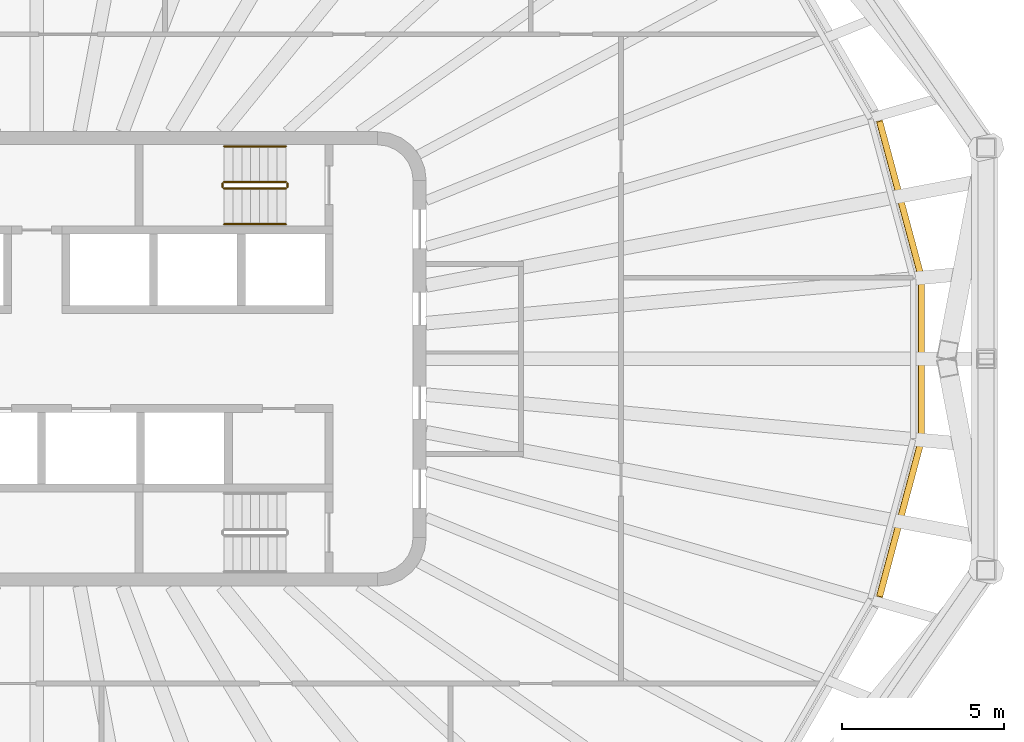
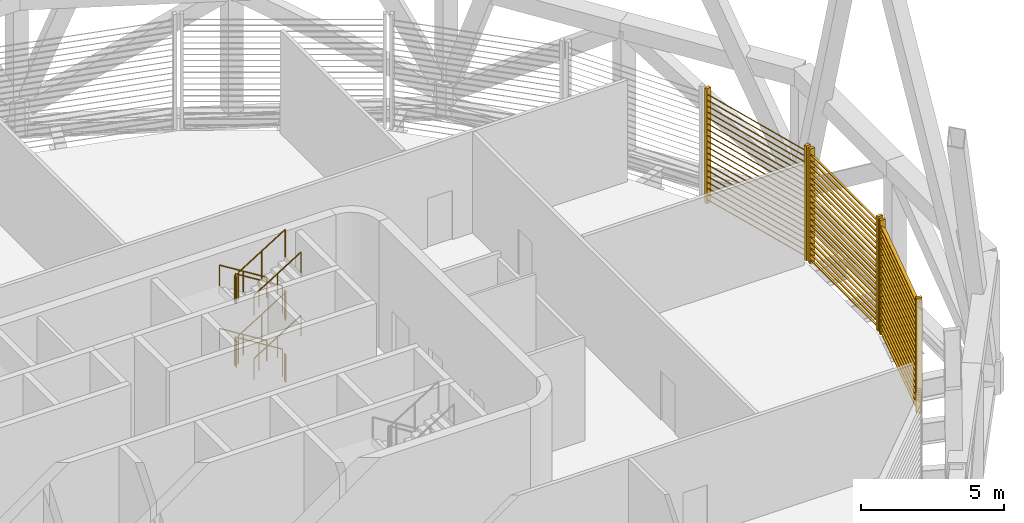
# One storey, part 14 of 16: 12 railings, 3 shading devices.
"""IFC4 building model written with IfcOpenShell, lengths in metres."""

from ifc_helpers import new_model, si_unit, direction, frame, origin, origin_2d, place, context, subcontext, project, spatial, rectangle, circle, extrude, material, type_object, element, save


model = new_model("IFC4")

# Units and contexts
model_context = context("Model", 3, precision=1e-05, world=origin(), true_north=direction((0.0, 1.0)))
body_context = subcontext(model_context, "Body", "Model", "MODEL_VIEW")
ifc_project = project(units=[si_unit("LENGTHUNIT", "METRE"), si_unit("AREAUNIT", "SQUARE_METRE"), si_unit("VOLUMEUNIT", "CUBIC_METRE"), si_unit("PLANEANGLEUNIT", "RADIAN"), si_unit("MASSUNIT", "GRAM", prefix="KILO")], contexts=[model_context])

# Site, building, storey
site_placement = place(None, origin())
site = spatial("IfcSite", under=ifc_project, at=site_placement, CompositionType="ELEMENT")
building_placement = place(site_placement, origin())
building = spatial("IfcBuilding", under=site, at=building_placement, Name="Sahrelin Media Tower", CompositionType="ELEMENT")
storey_placement = place(building_placement, frame((0.0, 0.0, 299.0)))
storey = spatial("IfcBuildingStorey", under=building, at=storey_placement, Name="L66", CompositionType="ELEMENT", Elevation=299.0)

# Shading devices
ifc_material_1 = material(Name="Champagne anodised aluminium 6063-T6", Category="aluminium")
shading_device_type = type_object("IfcShadingDeviceType", Name="Sand-rejection louvre band", PredefinedType="USERDEFINED", material=ifc_material_1)
shading_device_1_placement = place(storey_placement, frame((27.15234375, 0.0, 0.0), z_axis=(0.0, 0.0, 1.0), x_axis=(0.0, -1.0, 0.0)))
element("IfcShadingDevice", 1, at=shading_device_1_placement, inside=storey, type_object=shading_device_type, Name="L66:LOUVRE:L66-00", ObjectType="LOUVRE", PredefinedType="USERDEFINED", context=body_context, shape_type="SweptSolid", body=[
    extrude(rectangle(XDim=0.1201171875, YDim=0.199951171875, at=origin_2d()), frame((2.380615234375, 0.10009765625, 0.050048828125), z_axis=(0.0, 0.0, 1.0), x_axis=(1.0, 0.0, 0.0)), (0.0, 0.0, 1.0), 4.8984375),
    extrude(rectangle(XDim=0.1201171875, YDim=0.199951171875, at=origin_2d()), frame((-2.380615234375, 0.10009765625, 0.050048828125), z_axis=(0.0, 0.0, 1.0), x_axis=(1.0, 0.0, 0.0)), (0.0, 0.0, 1.0), 4.8984375),
    extrude(rectangle(XDim=0.25, YDim=0.02001953125, at=origin_2d()), frame((2.32080078125, 0.10009765625, 0.14990234375), z_axis=(-1.0, 0.0, 0.0), x_axis=(0.0, -0.766044443119, 0.642787609687)), (0.0, 0.0, 1.0), 4.6416015625),
    extrude(rectangle(XDim=0.25, YDim=0.02001953125, at=origin_2d()), frame((2.32080078125, 0.10009765625, 0.39990234375), z_axis=(-1.0, 0.0, 0.0), x_axis=(0.0, -0.766044443119, 0.642787609687)), (0.0, 0.0, 1.0), 4.6416015625),
    extrude(rectangle(XDim=0.25, YDim=0.02001953125, at=origin_2d()), frame((2.32080078125, 0.10009765625, 0.64990234375), z_axis=(-1.0, 0.0, 0.0), x_axis=(0.0, -0.766044443119, 0.642787609687)), (0.0, 0.0, 1.0), 4.6416015625),
    extrude(rectangle(XDim=0.25, YDim=0.02001953125, at=origin_2d()), frame((2.32080078125, 0.10009765625, 0.89990234375), z_axis=(-1.0, 0.0, 0.0), x_axis=(0.0, -0.766044443119, 0.642787609687)), (0.0, 0.0, 1.0), 4.6416015625),
    extrude(rectangle(XDim=0.25, YDim=0.02001953125, at=origin_2d()), frame((2.32080078125, 0.10009765625, 1.14990234375), z_axis=(-1.0, 0.0, 0.0), x_axis=(0.0, -0.766044443119, 0.642787609687)), (0.0, 0.0, 1.0), 4.6416015625),
    extrude(rectangle(XDim=0.25, YDim=0.02001953125, at=origin_2d()), frame((2.32080078125, 0.10009765625, 1.39990234375), z_axis=(-1.0, 0.0, 0.0), x_axis=(0.0, -0.766044443119, 0.642787609687)), (0.0, 0.0, 1.0), 4.6416015625),
    extrude(rectangle(XDim=0.25, YDim=0.02001953125, at=origin_2d()), frame((2.32080078125, 0.10009765625, 1.64990234375), z_axis=(-1.0, 0.0, 0.0), x_axis=(0.0, -0.766044443119, 0.642787609687)), (0.0, 0.0, 1.0), 4.6416015625),
    extrude(rectangle(XDim=0.25, YDim=0.02001953125, at=origin_2d()), frame((2.32080078125, 0.10009765625, 1.89990234375), z_axis=(-1.0, 0.0, 0.0), x_axis=(0.0, -0.766044443119, 0.642787609687)), (0.0, 0.0, 1.0), 4.6416015625),
    extrude(rectangle(XDim=0.25, YDim=0.02001953125, at=origin_2d()), frame((2.32080078125, 0.10009765625, 2.14990234375), z_axis=(-1.0, 0.0, 0.0), x_axis=(0.0, -0.766044443119, 0.642787609687)), (0.0, 0.0, 1.0), 4.6416015625),
    extrude(rectangle(XDim=0.25, YDim=0.02001953125, at=origin_2d()), frame((2.32080078125, 0.10009765625, 2.39990234375), z_axis=(-1.0, 0.0, 0.0), x_axis=(0.0, -0.766044443119, 0.642787609687)), (0.0, 0.0, 1.0), 4.6416015625),
    extrude(rectangle(XDim=0.25, YDim=0.02001953125, at=origin_2d()), frame((2.32080078125, 0.10009765625, 2.64990234375), z_axis=(-1.0, 0.0, 0.0), x_axis=(0.0, -0.766044443119, 0.642787609687)), (0.0, 0.0, 1.0), 4.6416015625),
    extrude(rectangle(XDim=0.25, YDim=0.02001953125, at=origin_2d()), frame((2.32080078125, 0.10009765625, 2.89990234375), z_axis=(-1.0, 0.0, 0.0), x_axis=(0.0, -0.766044443119, 0.642787609687)), (0.0, 0.0, 1.0), 4.6416015625),
    extrude(rectangle(XDim=0.25, YDim=0.02001953125, at=origin_2d()), frame((2.32080078125, 0.10009765625, 3.14990234375), z_axis=(-1.0, 0.0, 0.0), x_axis=(0.0, -0.766044443119, 0.642787609687)), (0.0, 0.0, 1.0), 4.6416015625),
    extrude(rectangle(XDim=0.25, YDim=0.02001953125, at=origin_2d()), frame((2.32080078125, 0.10009765625, 3.39990234375), z_axis=(-1.0, 0.0, 0.0), x_axis=(0.0, -0.766044443119, 0.642787609687)), (0.0, 0.0, 1.0), 4.6416015625),
    extrude(rectangle(XDim=0.25, YDim=0.02001953125, at=origin_2d()), frame((2.32080078125, 0.10009765625, 3.64990234375), z_axis=(-1.0, 0.0, 0.0), x_axis=(0.0, -0.766044443119, 0.642787609687)), (0.0, 0.0, 1.0), 4.6416015625),
    extrude(rectangle(XDim=0.25, YDim=0.02001953125, at=origin_2d()), frame((2.32080078125, 0.10009765625, 3.89990234375), z_axis=(-1.0, 0.0, 0.0), x_axis=(0.0, -0.766044443119, 0.642787609687)), (0.0, 0.0, 1.0), 4.6416015625),
    extrude(rectangle(XDim=0.25, YDim=0.02001953125, at=origin_2d()), frame((2.32080078125, 0.10009765625, 4.14990234375), z_axis=(-1.0, 0.0, 0.0), x_axis=(0.0, -0.766044443119, 0.642787609687)), (0.0, 0.0, 1.0), 4.6416015625),
    extrude(rectangle(XDim=0.25, YDim=0.02001953125, at=origin_2d()), frame((2.32080078125, 0.10009765625, 4.39990234375), z_axis=(-1.0, 0.0, 0.0), x_axis=(0.0, -0.766044443119, 0.642787609687)), (0.0, 0.0, 1.0), 4.6416015625),
    extrude(rectangle(XDim=0.25, YDim=0.02001953125, at=origin_2d()), frame((2.32080078125, 0.10009765625, 4.64990234375), z_axis=(-1.0, 0.0, 0.0), x_axis=(0.0, -0.766044443119, 0.642787609687)), (0.0, 0.0, 1.0), 4.6416015625),
])
shading_device_2_placement = place(storey_placement, frame((26.4873046875, 4.972412109375, 0.0), z_axis=(0.0, 0.0, 1.0), x_axis=(0.258807731996, -0.965928857556, 0.0)))
element("IfcShadingDevice", 2, at=shading_device_2_placement, inside=storey, type_object=shading_device_type, Name="L66:LOUVRE:L66-01", ObjectType="LOUVRE", PredefinedType="USERDEFINED", context=body_context, shape_type="SweptSolid", body=[
    extrude(rectangle(XDim=0.1201171875, YDim=0.199951171875, at=origin_2d()), frame((2.459228515625, 0.10009765625, 0.050048828125), z_axis=(0.0, 0.0, 1.0), x_axis=(1.0, 0.0, 0.0)), (0.0, 0.0, 1.0), 4.8984375),
    extrude(rectangle(XDim=0.1201171875, YDim=0.199951171875, at=origin_2d()), frame((-2.459228515625, 0.10009765625, 0.050048828125), z_axis=(0.0, 0.0, 1.0), x_axis=(1.0, 0.0, 0.0)), (0.0, 0.0, 1.0), 4.8984375),
    extrude(rectangle(XDim=0.25, YDim=0.02001953125, at=origin_2d()), frame((2.3994140625, 0.10009765625, 0.14990234375), z_axis=(-1.0, 0.0, 0.0), x_axis=(0.0, -0.766044443119, 0.642787609687)), (0.0, 0.0, 1.0), 4.798828125),
    extrude(rectangle(XDim=0.25, YDim=0.02001953125, at=origin_2d()), frame((2.3994140625, 0.10009765625, 0.39990234375), z_axis=(-1.0, 0.0, 0.0), x_axis=(0.0, -0.766044443119, 0.642787609687)), (0.0, 0.0, 1.0), 4.798828125),
    extrude(rectangle(XDim=0.25, YDim=0.02001953125, at=origin_2d()), frame((2.3994140625, 0.10009765625, 0.64990234375), z_axis=(-1.0, 0.0, 0.0), x_axis=(0.0, -0.766044443119, 0.642787609687)), (0.0, 0.0, 1.0), 4.798828125),
    extrude(rectangle(XDim=0.25, YDim=0.02001953125, at=origin_2d()), frame((2.3994140625, 0.10009765625, 0.89990234375), z_axis=(-1.0, 0.0, 0.0), x_axis=(0.0, -0.766044443119, 0.642787609687)), (0.0, 0.0, 1.0), 4.798828125),
    extrude(rectangle(XDim=0.25, YDim=0.02001953125, at=origin_2d()), frame((2.3994140625, 0.10009765625, 1.14990234375), z_axis=(-1.0, 0.0, 0.0), x_axis=(0.0, -0.766044443119, 0.642787609687)), (0.0, 0.0, 1.0), 4.798828125),
    extrude(rectangle(XDim=0.25, YDim=0.02001953125, at=origin_2d()), frame((2.3994140625, 0.10009765625, 1.39990234375), z_axis=(-1.0, 0.0, 0.0), x_axis=(0.0, -0.766044443119, 0.642787609687)), (0.0, 0.0, 1.0), 4.798828125),
    extrude(rectangle(XDim=0.25, YDim=0.02001953125, at=origin_2d()), frame((2.3994140625, 0.10009765625, 1.64990234375), z_axis=(-1.0, 0.0, 0.0), x_axis=(0.0, -0.766044443119, 0.642787609687)), (0.0, 0.0, 1.0), 4.798828125),
    extrude(rectangle(XDim=0.25, YDim=0.02001953125, at=origin_2d()), frame((2.3994140625, 0.10009765625, 1.89990234375), z_axis=(-1.0, 0.0, 0.0), x_axis=(0.0, -0.766044443119, 0.642787609687)), (0.0, 0.0, 1.0), 4.798828125),
    extrude(rectangle(XDim=0.25, YDim=0.02001953125, at=origin_2d()), frame((2.3994140625, 0.10009765625, 2.14990234375), z_axis=(-1.0, 0.0, 0.0), x_axis=(0.0, -0.766044443119, 0.642787609687)), (0.0, 0.0, 1.0), 4.798828125),
    extrude(rectangle(XDim=0.25, YDim=0.02001953125, at=origin_2d()), frame((2.3994140625, 0.10009765625, 2.39990234375), z_axis=(-1.0, 0.0, 0.0), x_axis=(0.0, -0.766044443119, 0.642787609687)), (0.0, 0.0, 1.0), 4.798828125),
    extrude(rectangle(XDim=0.25, YDim=0.02001953125, at=origin_2d()), frame((2.3994140625, 0.10009765625, 2.64990234375), z_axis=(-1.0, 0.0, 0.0), x_axis=(0.0, -0.766044443119, 0.642787609687)), (0.0, 0.0, 1.0), 4.798828125),
    extrude(rectangle(XDim=0.25, YDim=0.02001953125, at=origin_2d()), frame((2.3994140625, 0.10009765625, 2.89990234375), z_axis=(-1.0, 0.0, 0.0), x_axis=(0.0, -0.766044443119, 0.642787609687)), (0.0, 0.0, 1.0), 4.798828125),
    extrude(rectangle(XDim=0.25, YDim=0.02001953125, at=origin_2d()), frame((2.3994140625, 0.10009765625, 3.14990234375), z_axis=(-1.0, 0.0, 0.0), x_axis=(0.0, -0.766044443119, 0.642787609687)), (0.0, 0.0, 1.0), 4.798828125),
    extrude(rectangle(XDim=0.25, YDim=0.02001953125, at=origin_2d()), frame((2.3994140625, 0.10009765625, 3.39990234375), z_axis=(-1.0, 0.0, 0.0), x_axis=(0.0, -0.766044443119, 0.642787609687)), (0.0, 0.0, 1.0), 4.798828125),
    extrude(rectangle(XDim=0.25, YDim=0.02001953125, at=origin_2d()), frame((2.3994140625, 0.10009765625, 3.64990234375), z_axis=(-1.0, 0.0, 0.0), x_axis=(0.0, -0.766044443119, 0.642787609687)), (0.0, 0.0, 1.0), 4.798828125),
    extrude(rectangle(XDim=0.25, YDim=0.02001953125, at=origin_2d()), frame((2.3994140625, 0.10009765625, 3.89990234375), z_axis=(-1.0, 0.0, 0.0), x_axis=(0.0, -0.766044443119, 0.642787609687)), (0.0, 0.0, 1.0), 4.798828125),
    extrude(rectangle(XDim=0.25, YDim=0.02001953125, at=origin_2d()), frame((2.3994140625, 0.10009765625, 4.14990234375), z_axis=(-1.0, 0.0, 0.0), x_axis=(0.0, -0.766044443119, 0.642787609687)), (0.0, 0.0, 1.0), 4.798828125),
    extrude(rectangle(XDim=0.25, YDim=0.02001953125, at=origin_2d()), frame((2.3994140625, 0.10009765625, 4.39990234375), z_axis=(-1.0, 0.0, 0.0), x_axis=(0.0, -0.766044443119, 0.642787609687)), (0.0, 0.0, 1.0), 4.798828125),
    extrude(rectangle(XDim=0.25, YDim=0.02001953125, at=origin_2d()), frame((2.3994140625, 0.10009765625, 4.64990234375), z_axis=(-1.0, 0.0, 0.0), x_axis=(0.0, -0.766044443119, 0.642787609687)), (0.0, 0.0, 1.0), 4.798828125),
])
shading_device_3_placement = place(storey_placement, frame((26.4873046875, -4.972412109375, 0.0), z_axis=(0.0, 0.0, 1.0), x_axis=(-0.258807731996, -0.965928857556, 0.0)))
element("IfcShadingDevice", 3, at=shading_device_3_placement, inside=storey, type_object=shading_device_type, Name="L66:LOUVRE:L66-23", ObjectType="LOUVRE", PredefinedType="USERDEFINED", context=body_context, shape_type="SweptSolid", body=[
    extrude(rectangle(XDim=0.1201171875, YDim=0.199951171875, at=origin_2d()), frame((2.459228515625, 0.10009765625, 0.050048828125), z_axis=(0.0, 0.0, 1.0), x_axis=(1.0, 0.0, 0.0)), (0.0, 0.0, 1.0), 4.8984375),
    extrude(rectangle(XDim=0.1201171875, YDim=0.199951171875, at=origin_2d()), frame((-2.459228515625, 0.10009765625, 0.050048828125), z_axis=(0.0, 0.0, 1.0), x_axis=(1.0, 0.0, 0.0)), (0.0, 0.0, 1.0), 4.8984375),
    extrude(rectangle(XDim=0.25, YDim=0.02001953125, at=origin_2d()), frame((2.3994140625, 0.10009765625, 0.14990234375), z_axis=(-1.0, 0.0, 0.0), x_axis=(0.0, -0.766044443119, 0.642787609687)), (0.0, 0.0, 1.0), 4.798828125),
    extrude(rectangle(XDim=0.25, YDim=0.02001953125, at=origin_2d()), frame((2.3994140625, 0.10009765625, 0.39990234375), z_axis=(-1.0, 0.0, 0.0), x_axis=(0.0, -0.766044443119, 0.642787609687)), (0.0, 0.0, 1.0), 4.798828125),
    extrude(rectangle(XDim=0.25, YDim=0.02001953125, at=origin_2d()), frame((2.3994140625, 0.10009765625, 0.64990234375), z_axis=(-1.0, 0.0, 0.0), x_axis=(0.0, -0.766044443119, 0.642787609687)), (0.0, 0.0, 1.0), 4.798828125),
    extrude(rectangle(XDim=0.25, YDim=0.02001953125, at=origin_2d()), frame((2.3994140625, 0.10009765625, 0.89990234375), z_axis=(-1.0, 0.0, 0.0), x_axis=(0.0, -0.766044443119, 0.642787609687)), (0.0, 0.0, 1.0), 4.798828125),
    extrude(rectangle(XDim=0.25, YDim=0.02001953125, at=origin_2d()), frame((2.3994140625, 0.10009765625, 1.14990234375), z_axis=(-1.0, 0.0, 0.0), x_axis=(0.0, -0.766044443119, 0.642787609687)), (0.0, 0.0, 1.0), 4.798828125),
    extrude(rectangle(XDim=0.25, YDim=0.02001953125, at=origin_2d()), frame((2.3994140625, 0.10009765625, 1.39990234375), z_axis=(-1.0, 0.0, 0.0), x_axis=(0.0, -0.766044443119, 0.642787609687)), (0.0, 0.0, 1.0), 4.798828125),
    extrude(rectangle(XDim=0.25, YDim=0.02001953125, at=origin_2d()), frame((2.3994140625, 0.10009765625, 1.64990234375), z_axis=(-1.0, 0.0, 0.0), x_axis=(0.0, -0.766044443119, 0.642787609687)), (0.0, 0.0, 1.0), 4.798828125),
    extrude(rectangle(XDim=0.25, YDim=0.02001953125, at=origin_2d()), frame((2.3994140625, 0.10009765625, 1.89990234375), z_axis=(-1.0, 0.0, 0.0), x_axis=(0.0, -0.766044443119, 0.642787609687)), (0.0, 0.0, 1.0), 4.798828125),
    extrude(rectangle(XDim=0.25, YDim=0.02001953125, at=origin_2d()), frame((2.3994140625, 0.10009765625, 2.14990234375), z_axis=(-1.0, 0.0, 0.0), x_axis=(0.0, -0.766044443119, 0.642787609687)), (0.0, 0.0, 1.0), 4.798828125),
    extrude(rectangle(XDim=0.25, YDim=0.02001953125, at=origin_2d()), frame((2.3994140625, 0.10009765625, 2.39990234375), z_axis=(-1.0, 0.0, 0.0), x_axis=(0.0, -0.766044443119, 0.642787609687)), (0.0, 0.0, 1.0), 4.798828125),
    extrude(rectangle(XDim=0.25, YDim=0.02001953125, at=origin_2d()), frame((2.3994140625, 0.10009765625, 2.64990234375), z_axis=(-1.0, 0.0, 0.0), x_axis=(0.0, -0.766044443119, 0.642787609687)), (0.0, 0.0, 1.0), 4.798828125),
    extrude(rectangle(XDim=0.25, YDim=0.02001953125, at=origin_2d()), frame((2.3994140625, 0.10009765625, 2.89990234375), z_axis=(-1.0, 0.0, 0.0), x_axis=(0.0, -0.766044443119, 0.642787609687)), (0.0, 0.0, 1.0), 4.798828125),
    extrude(rectangle(XDim=0.25, YDim=0.02001953125, at=origin_2d()), frame((2.3994140625, 0.10009765625, 3.14990234375), z_axis=(-1.0, 0.0, 0.0), x_axis=(0.0, -0.766044443119, 0.642787609687)), (0.0, 0.0, 1.0), 4.798828125),
    extrude(rectangle(XDim=0.25, YDim=0.02001953125, at=origin_2d()), frame((2.3994140625, 0.10009765625, 3.39990234375), z_axis=(-1.0, 0.0, 0.0), x_axis=(0.0, -0.766044443119, 0.642787609687)), (0.0, 0.0, 1.0), 4.798828125),
    extrude(rectangle(XDim=0.25, YDim=0.02001953125, at=origin_2d()), frame((2.3994140625, 0.10009765625, 3.64990234375), z_axis=(-1.0, 0.0, 0.0), x_axis=(0.0, -0.766044443119, 0.642787609687)), (0.0, 0.0, 1.0), 4.798828125),
    extrude(rectangle(XDim=0.25, YDim=0.02001953125, at=origin_2d()), frame((2.3994140625, 0.10009765625, 3.89990234375), z_axis=(-1.0, 0.0, 0.0), x_axis=(0.0, -0.766044443119, 0.642787609687)), (0.0, 0.0, 1.0), 4.798828125),
    extrude(rectangle(XDim=0.25, YDim=0.02001953125, at=origin_2d()), frame((2.3994140625, 0.10009765625, 4.14990234375), z_axis=(-1.0, 0.0, 0.0), x_axis=(0.0, -0.766044443119, 0.642787609687)), (0.0, 0.0, 1.0), 4.798828125),
    extrude(rectangle(XDim=0.25, YDim=0.02001953125, at=origin_2d()), frame((2.3994140625, 0.10009765625, 4.39990234375), z_axis=(-1.0, 0.0, 0.0), x_axis=(0.0, -0.766044443119, 0.642787609687)), (0.0, 0.0, 1.0), 4.798828125),
    extrude(rectangle(XDim=0.25, YDim=0.02001953125, at=origin_2d()), frame((2.3994140625, 0.10009765625, 4.64990234375), z_axis=(-1.0, 0.0, 0.0), x_axis=(0.0, -0.766044443119, 0.642787609687)), (0.0, 0.0, 1.0), 4.798828125),
])

# Railings
ifc_material_2 = material(Name="Steel S355", Category="steel")
railing_type_1 = type_object("IfcRailingType", Name="Stair guard 1200", PredefinedType="GUARDRAIL", material=ifc_material_2)
railing_1_placement = place(storey_placement, frame((7.675048828125, 5.449951171875, 0.168701171875)))
element("IfcRailing", 4, at=railing_1_placement, inside=storey, type_object=railing_type_1, Name="L66 ST3 stair guard 1", PredefinedType="GUARDRAIL", context=body_context, shape_type="SweptSolid", body=[
    extrude(circle(Radius=0.02392578125, at=origin_2d()), frame((0.0, 0.0, 1.17578125), z_axis=(-0.849240365539, 0.0, 0.528006440812), x_axis=(0.0, -1.0, 0.0)), (0.0, 0.0, 1.0), 2.237548828125),
    extrude(circle(Radius=0.02099609375, at=origin_2d()), origin(), (0.0, 0.0, 1.0), 1.15185546875),
    extrude(circle(Radius=0.02099609375, at=origin_2d()), frame((-0.9501953125, 0.0, 0.5908203125)), (0.0, 0.0, 1.0), 1.15185546875),
    extrude(circle(Radius=0.02099609375, at=origin_2d()), frame((-1.900146484375, 0.0, 1.181396484375)), (0.0, 0.0, 1.0), 1.15185546875),
])
railing_2_placement = place(storey_placement, frame((5.72509765625, 5.39990234375, 1.35009765625)))
element("IfcRailing", 5, at=railing_2_placement, inside=storey, type_object=railing_type_1, Name="L66 ST3 stair guard 2", PredefinedType="GUARDRAIL", context=body_context, shape_type="SweptSolid", body=[
    extrude(circle(Radius=0.02392578125, at=origin_2d()), frame((0.0, 0.0, 1.17578125), z_axis=(0.0, -1.0, 0.0), x_axis=(1.0, 0.0, 0.0)), (0.0, 0.0, 1.0), 0.099853515625),
    extrude(circle(Radius=0.02099609375, at=origin_2d()), origin(), (0.0, 0.0, 1.0), 1.15185546875),
    extrude(circle(Radius=0.02099609375, at=origin_2d()), frame((0.0, -0.099853515625, 0.0)), (0.0, 0.0, 1.0), 1.15185546875),
])
railing_3_placement = place(storey_placement, frame((5.77490234375, 5.25, 1.518798828125)))
element("IfcRailing", 6, at=railing_3_placement, inside=storey, type_object=railing_type_1, Name="L66 ST3 stair guard 3", PredefinedType="GUARDRAIL", context=body_context, shape_type="SweptSolid", body=[
    extrude(circle(Radius=0.02392578125, at=origin_2d()), frame((0.0, 0.0, 1.17578125), z_axis=(0.849289292259, 0.0, 0.527927739425), x_axis=(0.0, 1.0, 0.0)), (0.0, 0.0, 1.0), 2.2373046875),
    extrude(circle(Radius=0.02099609375, at=origin_2d()), origin(), (0.0, 0.0, 1.0), 1.15185546875),
    extrude(circle(Radius=0.02099609375, at=origin_2d()), frame((0.9501953125, 0.0, 0.590576171875)), (0.0, 0.0, 1.0), 1.15185546875),
    extrude(circle(Radius=0.02099609375, at=origin_2d()), frame((1.900146484375, 0.0, 1.18115234375)), (0.0, 0.0, 1.0), 1.15185546875),
])
railing_4_placement = place(storey_placement, frame((7.72509765625, 5.39990234375, 2.699951171875)))
element("IfcRailing", 7, at=railing_4_placement, inside=storey, type_object=railing_type_1, Name="L66 ST3 stair guard 4", PredefinedType="GUARDRAIL", context=body_context, shape_type="SweptSolid", body=[
    extrude(circle(Radius=0.02392578125, at=origin_2d()), frame((0.0, 0.0, 1.17578125), z_axis=(0.0, -1.0, 0.0), x_axis=(1.0, 0.0, 0.0)), (0.0, 0.0, 1.0), 0.099853515625),
    extrude(circle(Radius=0.02099609375, at=origin_2d()), origin(), (0.0, 0.0, 1.0), 1.15185546875),
    extrude(circle(Radius=0.02099609375, at=origin_2d()), frame((0.0, -0.099853515625, 0.0)), (0.0, 0.0, 1.0), 1.15185546875),
])
railing_5_placement = place(storey_placement, frame((7.675048828125, 5.449951171875, 2.86865234375)))
element("IfcRailing", 8, at=railing_5_placement, inside=storey, type_object=railing_type_1, Name="L66 ST3 stair guard 5", PredefinedType="GUARDRAIL", context=body_context, shape_type="SweptSolid", body=[
    extrude(circle(Radius=0.02392578125, at=origin_2d()), frame((0.0, 0.0, 1.17578125), z_axis=(-0.849240365539, 0.0, 0.528006440812), x_axis=(0.0, -1.0, 0.0)), (0.0, 0.0, 1.0), 2.237548828125),
    extrude(circle(Radius=0.02099609375, at=origin_2d()), origin(), (0.0, 0.0, 1.0), 1.15185546875),
    extrude(circle(Radius=0.02099609375, at=origin_2d()), frame((-0.9501953125, 0.0, 0.5908203125)), (0.0, 0.0, 1.0), 1.15185546875),
    extrude(circle(Radius=0.02099609375, at=origin_2d()), frame((-1.900146484375, 0.0, 1.181396484375)), (0.0, 0.0, 1.0), 1.15185546875),
])
railing_6_placement = place(storey_placement, frame((5.72509765625, 5.39990234375, 4.050048828125)))
element("IfcRailing", 9, at=railing_6_placement, inside=storey, type_object=railing_type_1, Name="L66 ST3 stair guard 6", PredefinedType="GUARDRAIL", context=body_context, shape_type="SweptSolid", body=[
    extrude(circle(Radius=0.02392578125, at=origin_2d()), frame((0.0, 0.0, 1.17578125), z_axis=(0.0, -1.0, 0.0), x_axis=(1.0, 0.0, 0.0)), (0.0, 0.0, 1.0), 0.099853515625),
    extrude(circle(Radius=0.02099609375, at=origin_2d()), origin(), (0.0, 0.0, 1.0), 1.15185546875),
    extrude(circle(Radius=0.02099609375, at=origin_2d()), frame((0.0, -0.099853515625, 0.0)), (0.0, 0.0, 1.0), 1.15185546875),
])
railing_7_placement = place(storey_placement, frame((5.77490234375, 5.25, 4.21875)))
element("IfcRailing", 10, at=railing_7_placement, inside=storey, type_object=railing_type_1, Name="L66 ST3 stair guard 7", PredefinedType="GUARDRAIL", context=body_context, shape_type="SweptSolid", body=[
    extrude(circle(Radius=0.02392578125, at=origin_2d()), frame((0.0, 0.0, 1.17578125), z_axis=(0.849289292259, 0.0, 0.527927739425), x_axis=(0.0, 1.0, 0.0)), (0.0, 0.0, 1.0), 2.2373046875),
    extrude(circle(Radius=0.02099609375, at=origin_2d()), origin(), (0.0, 0.0, 1.0), 1.15185546875),
    extrude(circle(Radius=0.02099609375, at=origin_2d()), frame((0.9501953125, 0.0, 0.590576171875)), (0.0, 0.0, 1.0), 1.15185546875),
    extrude(circle(Radius=0.02099609375, at=origin_2d()), frame((1.900146484375, 0.0, 1.18115234375)), (0.0, 0.0, 1.0), 1.15185546875),
])
railing_8_placement = place(storey_placement, frame((7.72509765625, 5.39990234375, 0.0)))
element("IfcRailing", 11, at=railing_8_placement, inside=storey, type_object=railing_type_1, Name="L66 ST3 stair guard 8", PredefinedType="GUARDRAIL", context=body_context, shape_type="SweptSolid", body=[
    extrude(circle(Radius=0.02392578125, at=origin_2d()), frame((0.0, 0.0, 1.17578125), z_axis=(0.0, -1.0, 0.0), x_axis=(1.0, 0.0, 0.0)), (0.0, 0.0, 1.0), 0.099853515625),
    extrude(circle(Radius=0.02099609375, at=origin_2d()), origin(), (0.0, 0.0, 1.0), 1.15185546875),
    extrude(circle(Radius=0.02099609375, at=origin_2d()), frame((0.0, -0.099853515625, 0.0)), (0.0, 0.0, 1.0), 1.15185546875),
])
railing_type_2 = type_object("IfcRailingType", Name="Stair handrail 900", PredefinedType="HANDRAIL", material=ifc_material_2)
railing_9_placement = place(storey_placement, frame((7.675048828125, 6.550048828125, 0.168701171875)))
element("IfcRailing", 12, at=railing_9_placement, inside=storey, type_object=railing_type_2, Name="L66 ST3 stair handrail 1", PredefinedType="HANDRAIL", context=body_context, shape_type="SweptSolid", body=[
    extrude(circle(Radius=0.02392578125, at=origin_2d()), frame((0.0, 0.0, 0.8759765625), z_axis=(-0.849240365539, 0.0, 0.528006440812), x_axis=(0.0, -1.0, 0.0)), (0.0, 0.0, 1.0), 2.237548828125),
    extrude(circle(Radius=0.02099609375, at=origin_2d()), origin(), (0.0, 0.0, 1.0), 0.851806640625),
    extrude(circle(Radius=0.02099609375, at=origin_2d()), frame((-0.9501953125, 0.0, 0.5908203125)), (0.0, 0.0, 1.0), 0.851806640625),
    extrude(circle(Radius=0.02099609375, at=origin_2d()), frame((-1.900146484375, 0.0, 1.181396484375)), (0.0, 0.0, 1.0), 0.851806640625),
])
railing_10_placement = place(storey_placement, frame((5.77490234375, 4.14990234375, 1.518798828125)))
element("IfcRailing", 13, at=railing_10_placement, inside=storey, type_object=railing_type_2, Name="L66 ST3 stair handrail 2", PredefinedType="HANDRAIL", context=body_context, shape_type="SweptSolid", body=[
    extrude(circle(Radius=0.02392578125, at=origin_2d()), frame((0.0, 0.0, 0.8759765625), z_axis=(0.849289292259, 0.0, 0.527927739425), x_axis=(0.0, 1.0, 0.0)), (0.0, 0.0, 1.0), 2.2373046875),
    extrude(circle(Radius=0.02099609375, at=origin_2d()), origin(), (0.0, 0.0, 1.0), 0.851806640625),
    extrude(circle(Radius=0.02099609375, at=origin_2d()), frame((0.9501953125, 0.0, 0.590576171875)), (0.0, 0.0, 1.0), 0.851806640625),
    extrude(circle(Radius=0.02099609375, at=origin_2d()), frame((1.900146484375, 0.0, 1.18115234375)), (0.0, 0.0, 1.0), 0.851806640625),
])
railing_11_placement = place(storey_placement, frame((7.675048828125, 6.550048828125, 2.86865234375)))
element("IfcRailing", 14, at=railing_11_placement, inside=storey, type_object=railing_type_2, Name="L66 ST3 stair handrail 3", PredefinedType="HANDRAIL", context=body_context, shape_type="SweptSolid", body=[
    extrude(circle(Radius=0.02392578125, at=origin_2d()), frame((0.0, 0.0, 0.8759765625), z_axis=(-0.849240365539, 0.0, 0.528006440812), x_axis=(0.0, -1.0, 0.0)), (0.0, 0.0, 1.0), 2.237548828125),
    extrude(circle(Radius=0.02099609375, at=origin_2d()), origin(), (0.0, 0.0, 1.0), 0.851806640625),
    extrude(circle(Radius=0.02099609375, at=origin_2d()), frame((-0.9501953125, 0.0, 0.5908203125)), (0.0, 0.0, 1.0), 0.851806640625),
    extrude(circle(Radius=0.02099609375, at=origin_2d()), frame((-1.900146484375, 0.0, 1.181396484375)), (0.0, 0.0, 1.0), 0.851806640625),
])
railing_12_placement = place(storey_placement, frame((5.77490234375, 4.14990234375, 4.21875)))
element("IfcRailing", 15, at=railing_12_placement, inside=storey, type_object=railing_type_2, Name="L66 ST3 stair handrail 4", PredefinedType="HANDRAIL", context=body_context, shape_type="SweptSolid", body=[
    extrude(circle(Radius=0.02392578125, at=origin_2d()), frame((0.0, 0.0, 0.8759765625), z_axis=(0.849289292259, 0.0, 0.527927739425), x_axis=(0.0, 1.0, 0.0)), (0.0, 0.0, 1.0), 2.2373046875),
    extrude(circle(Radius=0.02099609375, at=origin_2d()), origin(), (0.0, 0.0, 1.0), 0.851806640625),
    extrude(circle(Radius=0.02099609375, at=origin_2d()), frame((0.9501953125, 0.0, 0.590576171875)), (0.0, 0.0, 1.0), 0.851806640625),
    extrude(circle(Radius=0.02099609375, at=origin_2d()), frame((1.900146484375, 0.0, 1.18115234375)), (0.0, 0.0, 1.0), 0.851806640625),
])

save(model, "model.ifc")
